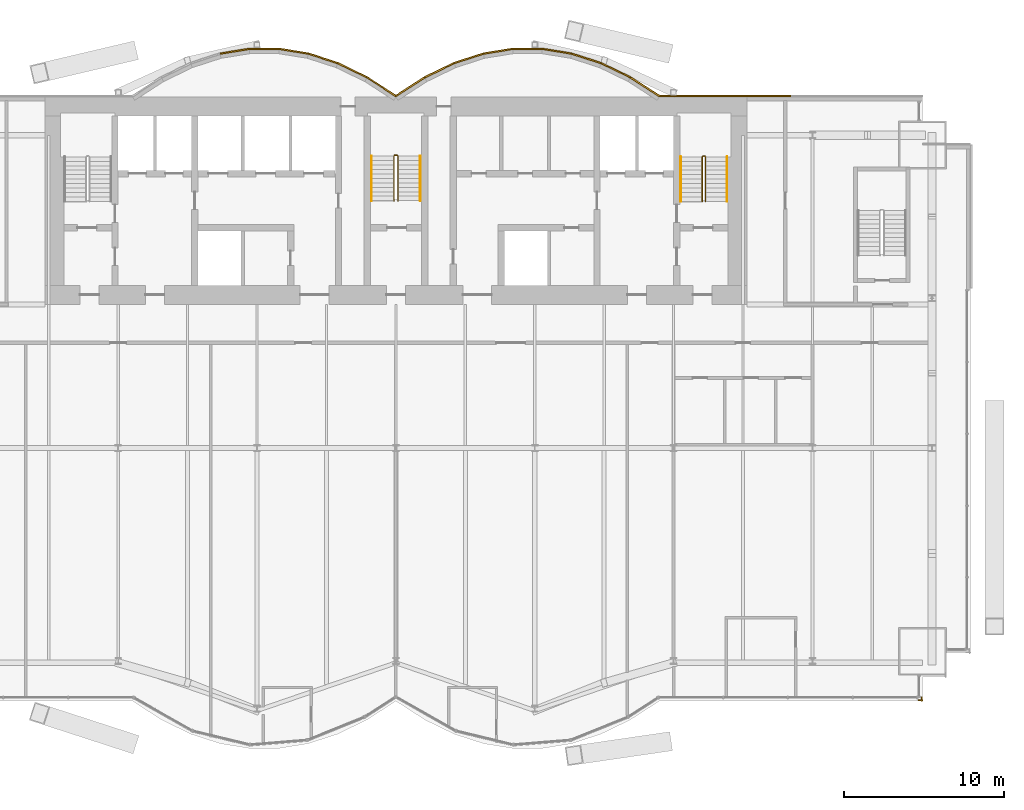
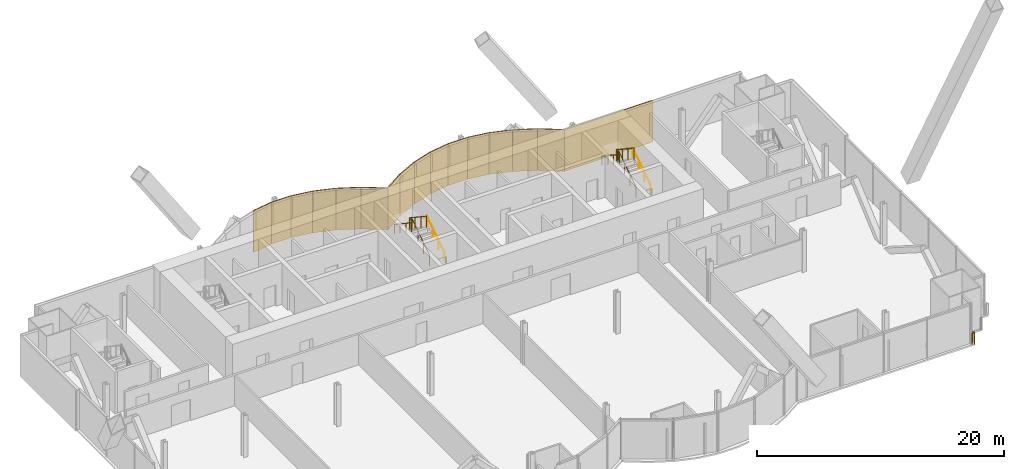
# One storey, part 22 of 23: 16 coverings, 7 railings.
"""IFC4 building model written with IfcOpenShell, lengths in metres."""

from ifc_helpers import new_model, si_unit, direction, frame, origin, origin_2d, place, context, subcontext, project, spatial, rectangle, circle, extrude, material, layer, layer_set, type_object, element, save


model = new_model("IFC4")

# Units and contexts
model_context = context("Model", 3, precision=1e-05, world=origin(), true_north=direction((0.0, 1.0)))
body_context = subcontext(model_context, "Body", "Model", "MODEL_VIEW")
ifc_project = project(units=[si_unit("LENGTHUNIT", "METRE"), si_unit("AREAUNIT", "SQUARE_METRE"), si_unit("VOLUMEUNIT", "CUBIC_METRE"), si_unit("PLANEANGLEUNIT", "RADIAN"), si_unit("MASSUNIT", "GRAM", prefix="KILO")], contexts=[model_context])

# Site, building, storey
site_placement = place(None, origin())
site = spatial("IfcSite", under=ifc_project, at=site_placement, CompositionType="ELEMENT")
building_placement = place(site_placement, origin())
building = spatial("IfcBuilding", under=site, at=building_placement, Name="Bicima Exchange Tower", CompositionType="ELEMENT")
storey_placement = place(building_placement, frame((0.0, 0.0, 110.39990234375)))
storey = spatial("IfcBuildingStorey", under=building, at=storey_placement, Name="L23", CompositionType="ELEMENT", Elevation=110.39990234375)

# Coverings
ifc_material_1 = material(Name="Bronze metal cladding")
ifc_layer_1 = layer(ifc_material_1, 0.004)
ifc_material_2 = material(Name="Ventilated cavity")
ifc_layer_2 = layer(ifc_material_2, 0.06)
ifc_material_3 = material(Name="Galvanised steel rail and mineral wool", Category="steel")
ifc_layer_3 = layer(ifc_material_3, 0.036)
ifc_layer_set = layer_set([ifc_layer_1, ifc_layer_2, ifc_layer_3], Name="Ventilated cavity")
covering_type = type_object("IfcCoveringType", Name="Bronze metal cladding panel 100", PredefinedType="CLADDING", material=ifc_layer_set)
covering_1_placement = place(storey_placement, frame((20.625, 0.050048828125, -0.14990234375), z_axis=(0.0, 0.0, 1.0), x_axis=(-1.0, 0.0, 0.0)))
element("IfcCovering", 1, at=covering_1_placement, inside=storey, type_object=covering_type, Name="Bronze cladding L23 1.2", PredefinedType="CLADDING", context=body_context, shape_type="SweptSolid", body=[
    extrude(rectangle(XDim=8.25, YDim=0.10009765625, at=origin_2d()), origin(), (0.0, 0.0, 1.0), 4.10009765625),
])
covering_2_placement = place(storey_placement, frame((15.610595703125, 0.634521484375, -0.14990234375), z_axis=(0.0, 0.0, 1.0), x_axis=(-0.839790466384, 0.542910648791, 0.0)))
element("IfcCovering", 2, at=covering_2_placement, inside=storey, type_object=covering_type, Name="Bronze cladding L23 2.1", PredefinedType="CLADDING", context=body_context, shape_type="SweptSolid", body=[
    extrude(rectangle(XDim=2.18310546875, YDim=0.10009765625, at=origin_2d()), origin(), (0.0, 0.0, 1.0), 4.10009765625),
])
covering_3_placement = place(storey_placement, frame((13.771728515625, 1.674560546875, -0.14990234375), z_axis=(0.0, 0.0, 1.0), x_axis=(-0.899818346812, 0.436264762204, 0.0)))
element("IfcCovering", 3, at=covering_3_placement, inside=storey, type_object=covering_type, Name="Bronze cladding L23 3.1", PredefinedType="CLADDING", context=body_context, shape_type="SweptSolid", body=[
    extrude(rectangle(XDim=2.03759765625, YDim=0.10009765625, at=origin_2d()), origin(), (0.0, 0.0, 1.0), 4.10009765625),
])
covering_4_placement = place(storey_placement, frame((11.931884765625, 2.41796875, -0.14990234375), z_axis=(0.0, 0.0, 1.0), x_axis=(-0.951524642381, 0.307572519808, 0.0)))
element("IfcCovering", 4, at=covering_4_placement, inside=storey, type_object=covering_type, Name="Bronze cladding L23 4.1", PredefinedType="CLADDING", context=body_context, shape_type="SweptSolid", body=[
    extrude(rectangle(XDim=1.9267578125, YDim=0.10009765625, at=origin_2d()), origin(), (0.0, 0.0, 1.0), 4.10009765625),
])
covering_5_placement = place(storey_placement, frame((10.09130859375, 2.8642578125, -0.14990234375), z_axis=(0.0, 0.0, 1.0), x_axis=(-0.987189786347, 0.159550386184, 0.0)))
element("IfcCovering", 5, at=covering_5_placement, inside=storey, type_object=covering_type, Name="Bronze cladding L23 5.1", PredefinedType="CLADDING", context=body_context, shape_type="SweptSolid", body=[
    extrude(rectangle(XDim=1.857177734375, YDim=0.10009765625, at=origin_2d()), origin(), (0.0, 0.0, 1.0), 4.10009765625),
])
covering_6_placement = place(storey_placement, frame((8.25, 3.012939453125, -0.14990234375), z_axis=(0.0, 0.0, 1.0), x_axis=(-1.0, 0.0, 0.0)))
element("IfcCovering", 6, at=covering_6_placement, inside=storey, type_object=covering_type, Name="Bronze cladding L23 6.1", PredefinedType="CLADDING", context=body_context, shape_type="SweptSolid", body=[
    extrude(rectangle(XDim=1.83349609375, YDim=0.10009765625, at=origin_2d()), origin(), (0.0, 0.0, 1.0), 4.10009765625),
])
covering_7_placement = place(storey_placement, frame((6.40869140625, 2.8642578125, -0.14990234375), z_axis=(0.0, 0.0, 1.0), x_axis=(-0.987189786347, -0.159550386184, 0.0)))
element("IfcCovering", 7, at=covering_7_placement, inside=storey, type_object=covering_type, Name="Bronze cladding L23 7.1", PredefinedType="CLADDING", context=body_context, shape_type="SweptSolid", body=[
    extrude(rectangle(XDim=1.857177734375, YDim=0.10009765625, at=origin_2d()), origin(), (0.0, 0.0, 1.0), 4.10009765625),
])
covering_8_placement = place(storey_placement, frame((4.568115234375, 2.41796875, -0.14990234375), z_axis=(0.0, 0.0, 1.0), x_axis=(-0.951524642381, -0.307572519808, 0.0)))
element("IfcCovering", 8, at=covering_8_placement, inside=storey, type_object=covering_type, Name="Bronze cladding L23 8.1", PredefinedType="CLADDING", context=body_context, shape_type="SweptSolid", body=[
    extrude(rectangle(XDim=1.9267578125, YDim=0.10009765625, at=origin_2d()), origin(), (0.0, 0.0, 1.0), 4.10009765625),
])
covering_9_placement = place(storey_placement, frame((2.728271484375, 1.674560546875, -0.14990234375), z_axis=(0.0, 0.0, 1.0), x_axis=(-0.899818346812, -0.436264762204, 0.0)))
element("IfcCovering", 9, at=covering_9_placement, inside=storey, type_object=covering_type, Name="Bronze cladding L23 9.1", PredefinedType="CLADDING", context=body_context, shape_type="SweptSolid", body=[
    extrude(rectangle(XDim=2.03759765625, YDim=0.10009765625, at=origin_2d()), origin(), (0.0, 0.0, 1.0), 4.10009765625),
])
for number, where, z_axis, x_axis, name in (
    (10, (0.889404296875, 0.634521484375, -0.14990234375), (0.0, 0.0, 1.0), (-0.839790466384, -0.542910648791, 0.0), "Bronze cladding L23 10.1"),
    (11, (-0.889404296875, 0.634521484375, -0.14990234375), (0.0, 0.0, 1.0), (-0.839790466384, 0.542910648791, 0.0), "Bronze cladding L23 11.1"),
):
    element("IfcCovering", number, at=place(storey_placement, frame(where, z_axis=z_axis, x_axis=x_axis)), inside=storey, type_object=covering_type, Name=name, PredefinedType="CLADDING", context=body_context, shape_type="SweptSolid", body=[
        extrude(rectangle(XDim=2.18310546875, YDim=0.10009765625, at=origin_2d()), origin(), (0.0, 0.0, 1.0), 4.10009765625),
    ])
covering_10_placement = place(storey_placement, frame((-2.728271484375, 1.674560546875, -0.14990234375), z_axis=(0.0, 0.0, 1.0), x_axis=(-0.899818346812, 0.436264762204, 0.0)))
element("IfcCovering", 12, at=covering_10_placement, inside=storey, type_object=covering_type, Name="Bronze cladding L23 12.1", PredefinedType="CLADDING", context=body_context, shape_type="SweptSolid", body=[
    extrude(rectangle(XDim=2.03759765625, YDim=0.10009765625, at=origin_2d()), origin(), (0.0, 0.0, 1.0), 4.10009765625),
])
covering_11_placement = place(storey_placement, frame((-4.568115234375, 2.41796875, -0.14990234375), z_axis=(0.0, 0.0, 1.0), x_axis=(-0.951524642381, 0.307572519808, 0.0)))
element("IfcCovering", 13, at=covering_11_placement, inside=storey, type_object=covering_type, Name="Bronze cladding L23 13.1", PredefinedType="CLADDING", context=body_context, shape_type="SweptSolid", body=[
    extrude(rectangle(XDim=1.9267578125, YDim=0.10009765625, at=origin_2d()), origin(), (0.0, 0.0, 1.0), 4.10009765625),
])
covering_12_placement = place(storey_placement, frame((-6.40869140625, 2.8642578125, -0.14990234375), z_axis=(0.0, 0.0, 1.0), x_axis=(-0.987189786347, 0.159550386184, 0.0)))
element("IfcCovering", 14, at=covering_12_placement, inside=storey, type_object=covering_type, Name="Bronze cladding L23 14.1", PredefinedType="CLADDING", context=body_context, shape_type="SweptSolid", body=[
    extrude(rectangle(XDim=1.857177734375, YDim=0.10009765625, at=origin_2d()), origin(), (0.0, 0.0, 1.0), 4.10009765625),
])
covering_13_placement = place(storey_placement, frame((-8.25, 3.012939453125, -0.14990234375), z_axis=(0.0, 0.0, 1.0), x_axis=(-1.0, 0.0, 0.0)))
element("IfcCovering", 15, at=covering_13_placement, inside=storey, type_object=covering_type, Name="Bronze cladding L23 15.1", PredefinedType="CLADDING", context=body_context, shape_type="SweptSolid", body=[
    extrude(rectangle(XDim=1.83349609375, YDim=0.10009765625, at=origin_2d()), origin(), (0.0, 0.0, 1.0), 4.10009765625),
])
covering_14_placement = place(storey_placement, frame((-10.09130859375, 2.8642578125, -0.14990234375), z_axis=(0.0, 0.0, 1.0), x_axis=(-0.987189786347, -0.159550386184, 0.0)))
element("IfcCovering", 16, at=covering_14_placement, inside=storey, type_object=covering_type, Name="Bronze cladding L23 16.1", PredefinedType="CLADDING", context=body_context, shape_type="SweptSolid", body=[
    extrude(rectangle(XDim=1.857177734375, YDim=0.10009765625, at=origin_2d()), origin(), (0.0, 0.0, 1.0), 4.10009765625),
])

# Railings
ifc_material_4 = material(Name="Stainless steel and bonded safety glass", Category="steel")
railing_type_1 = type_object("IfcRailingType", Name="Edge guard 1100", PredefinedType="GUARDRAIL", material=ifc_material_4)
railing_1_placement = place(storey_placement, frame((32.949951171875, -37.60205078125, 0.0)))
element("IfcRailing", 17, at=railing_1_placement, inside=storey, type_object=railing_type_1, Name="Edge guard L23 112", PredefinedType="GUARDRAIL", context=body_context, shape_type="SweptSolid", body=[
    extrude(circle(Radius=0.02392578125, at=origin_2d()), frame((0.0, 0.0, 1.076171875), z_axis=(0.0, -1.0, 0.0), x_axis=(1.0, 0.0, 0.0)), (0.0, 0.0, 1.0), 0.25),
    extrude(circle(Radius=0.02392578125, at=origin_2d()), frame((0.0, -0.25, 1.076171875), z_axis=(0.707106781187, 0.707106781187, 0.0), x_axis=(-0.707106781187, 0.707106781187, 0.0)), (0.0, 0.0, 1.0), 0.07080078125),
    extrude(circle(Radius=0.02392578125, at=origin_2d()), frame((0.050048828125, -0.199951171875, 1.076171875), z_axis=(-1.0, 0.0, 0.0), x_axis=(0.0, -1.0, 0.0)), (0.0, 0.0, 1.0), 0.25),
    extrude(circle(Radius=0.02099609375, at=origin_2d()), origin(), (0.0, 0.0, 1.0), 1.052001953125),
    extrude(circle(Radius=0.02099609375, at=origin_2d()), frame((0.0, -0.25, 0.0)), (0.0, 0.0, 1.0), 1.052001953125),
    extrude(circle(Radius=0.02099609375, at=origin_2d()), frame((0.050048828125, -0.199951171875, 0.0)), (0.0, 0.0, 1.0), 1.052001953125),
    extrude(circle(Radius=0.02099609375, at=origin_2d()), frame((-0.199951171875, -0.199951171875, 0.0)), (0.0, 0.0, 1.0), 1.052001953125),
])
ifc_material_5 = material(Name="Stainless steel", Category="steel")
railing_type_2 = type_object("IfcRailingType", Name="Stair guard 1100", PredefinedType="GUARDRAIL", material=ifc_material_5)
railing_2_placement = place(storey_placement, frame((0.125, -6.5, 0.1865234375)))
element("IfcRailing", 18, at=railing_2_placement, inside=storey, type_object=railing_type_2, Name="L23 ST-C stair guard 1", PredefinedType="GUARDRAIL", context=body_context, shape_type="SweptSolid", body=[
    extrude(circle(Radius=0.02392578125, at=origin_2d()), frame((0.0, 0.0, 1.076171875), z_axis=(0.0, 0.832485552168, 0.554046753832), x_axis=(-1.0, 0.0, 0.0)), (0.0, 0.0, 1.0), 3.363525390625),
    extrude(circle(Radius=0.02392578125, at=origin_2d()), frame((0.0, 2.800048828125, 2.939453125), z_axis=(-0.707106781187, 0.707106781187, 0.0), x_axis=(-0.707106781187, -0.707106781187, 0.0)), (0.0, 0.0, 1.0), 0.07080078125),
    extrude(circle(Radius=0.02392578125, at=origin_2d()), frame((-0.050048828125, 2.85009765625, 2.939453125), z_axis=(-1.0, 0.0, 0.0), x_axis=(0.0, -1.0, 0.0)), (0.0, 0.0, 1.0), 0.14990234375),
    extrude(circle(Radius=0.02392578125, at=origin_2d()), frame((-0.199951171875, 2.85009765625, 2.939453125), z_axis=(-0.250869701741, -0.250869701741, 0.934948546978), x_axis=(0.707106781187, -0.707106781187, 0.0)), (0.0, 0.0, 1.0), 0.199462890625),
    extrude(circle(Radius=0.02392578125, at=origin_2d()), frame((-0.25, 2.800048828125, 3.1259765625), z_axis=(0.0, -0.832485552168, 0.554046753832), x_axis=(1.0, 0.0, 0.0)), (0.0, 0.0, 1.0), 3.363525390625),
    extrude(circle(Radius=0.02099609375, at=origin_2d()), origin(), (0.0, 0.0, 1.0), 1.052001953125),
    extrude(circle(Radius=0.02099609375, at=origin_2d()), frame((0.0, 0.933349609375, 0.62109375)), (0.0, 0.0, 1.0), 1.052001953125),
    extrude(circle(Radius=0.02099609375, at=origin_2d()), frame((0.0, 1.86669921875, 1.242431640625)), (0.0, 0.0, 1.0), 1.052001953125),
    extrude(circle(Radius=0.02099609375, at=origin_2d()), frame((0.0, 2.800048828125, 1.863525390625)), (0.0, 0.0, 1.0), 1.052001953125),
    extrude(circle(Radius=0.02099609375, at=origin_2d()), frame((-0.050048828125, 2.85009765625, 1.863525390625)), (0.0, 0.0, 1.0), 1.052001953125),
    extrude(circle(Radius=0.02099609375, at=origin_2d()), frame((-0.199951171875, 2.85009765625, 1.863525390625)), (0.0, 0.0, 1.0), 1.052001953125),
    extrude(circle(Radius=0.02099609375, at=origin_2d()), frame((-0.25, 2.800048828125, 2.050048828125)), (0.0, 0.0, 1.0), 1.052001953125),
    extrude(circle(Radius=0.02099609375, at=origin_2d()), frame((-0.25, 1.86669921875, 2.671142578125)), (0.0, 0.0, 1.0), 1.052001953125),
    extrude(circle(Radius=0.02099609375, at=origin_2d()), frame((-0.25, 0.933349609375, 3.29248046875)), (0.0, 0.0, 1.0), 1.052001953125),
    extrude(circle(Radius=0.02099609375, at=origin_2d()), frame((-0.25, 0.0, 3.91357421875)), (0.0, 0.0, 1.0), 1.052001953125),
])
railing_3_placement = place(storey_placement, frame((19.39990234375, -6.550048828125, 0.1865234375)))
element("IfcRailing", 19, at=railing_3_placement, inside=storey, type_object=railing_type_2, Name="L23 ST-E stair guard 1", PredefinedType="GUARDRAIL", context=body_context, shape_type="SweptSolid", body=[
    extrude(circle(Radius=0.02392578125, at=origin_2d()), frame((0.0, 0.0, 1.076171875), z_axis=(0.0, 0.832485552168, 0.554046753832), x_axis=(-1.0, 0.0, 0.0)), (0.0, 0.0, 1.0), 3.363525390625),
    extrude(circle(Radius=0.02392578125, at=origin_2d()), frame((0.0, 2.800048828125, 2.939453125), z_axis=(-0.705375805398, 0.708833529934, 0.0), x_axis=(-0.708833529934, -0.705375805398, 0.0)), (0.0, 0.0, 1.0), 0.070556640625),
    extrude(circle(Radius=0.02392578125, at=origin_2d()), frame((-0.0498046875, 2.85009765625, 2.939453125), z_axis=(-1.0, 0.0, 0.0), x_axis=(0.0, -1.0, 0.0)), (0.0, 0.0, 1.0), 0.10009765625),
    extrude(circle(Radius=0.02392578125, at=origin_2d()), frame((-0.14990234375, 2.85009765625, 2.939453125), z_axis=(-0.250869701741, -0.250869701741, 0.934948546978), x_axis=(0.707106781187, -0.707106781187, 0.0)), (0.0, 0.0, 1.0), 0.199462890625),
    extrude(circle(Radius=0.02392578125, at=origin_2d()), frame((-0.199951171875, 2.800048828125, 3.1259765625), z_axis=(0.0, -0.832485552168, 0.554046753832), x_axis=(1.0, 0.0, 0.0)), (0.0, 0.0, 1.0), 3.363525390625),
    extrude(circle(Radius=0.02099609375, at=origin_2d()), origin(), (0.0, 0.0, 1.0), 1.052001953125),
    extrude(circle(Radius=0.02099609375, at=origin_2d()), frame((0.0, 0.933349609375, 0.62109375)), (0.0, 0.0, 1.0), 1.052001953125),
    extrude(circle(Radius=0.02099609375, at=origin_2d()), frame((0.0, 1.86669921875, 1.242431640625)), (0.0, 0.0, 1.0), 1.052001953125),
    extrude(circle(Radius=0.02099609375, at=origin_2d()), frame((0.0, 2.800048828125, 1.863525390625)), (0.0, 0.0, 1.0), 1.052001953125),
    extrude(circle(Radius=0.02099609375, at=origin_2d()), frame((-0.0498046875, 2.85009765625, 1.863525390625)), (0.0, 0.0, 1.0), 1.052001953125),
    extrude(circle(Radius=0.02099609375, at=origin_2d()), frame((-0.14990234375, 2.85009765625, 1.863525390625)), (0.0, 0.0, 1.0), 1.052001953125),
    extrude(circle(Radius=0.02099609375, at=origin_2d()), frame((-0.199951171875, 2.800048828125, 2.050048828125)), (0.0, 0.0, 1.0), 1.052001953125),
    extrude(circle(Radius=0.02099609375, at=origin_2d()), frame((-0.199951171875, 1.86669921875, 2.671142578125)), (0.0, 0.0, 1.0), 1.052001953125),
    extrude(circle(Radius=0.02099609375, at=origin_2d()), frame((-0.199951171875, 0.933349609375, 3.29248046875)), (0.0, 0.0, 1.0), 1.052001953125),
    extrude(circle(Radius=0.02099609375, at=origin_2d()), frame((-0.199951171875, 0.0, 3.91357421875)), (0.0, 0.0, 1.0), 1.052001953125),
])
railing_type_3 = type_object("IfcRailingType", Name="Stair handrail 900", PredefinedType="HANDRAIL", material=ifc_material_5)
railing_4_placement = place(storey_placement, frame((1.52490234375, -6.5, 0.1865234375)))
element("IfcRailing", 20, at=railing_4_placement, inside=storey, type_object=railing_type_3, Name="L23 ST-C stair handrail 1", PredefinedType="HANDRAIL", context=body_context, shape_type="SweptSolid", body=[
    extrude(circle(Radius=0.02392578125, at=origin_2d()), frame((0.0, 0.0, 0.8759765625), z_axis=(0.0, 0.832485552168, 0.554046753832), x_axis=(-1.0, 0.0, 0.0)), (0.0, 0.0, 1.0), 3.363525390625),
    extrude(circle(Radius=0.02099609375, at=origin_2d()), origin(), (0.0, 0.0, 1.0), 0.851806640625),
    extrude(circle(Radius=0.02099609375, at=origin_2d()), frame((0.0, 0.933349609375, 0.62109375)), (0.0, 0.0, 1.0), 0.851806640625),
    extrude(circle(Radius=0.02099609375, at=origin_2d()), frame((0.0, 1.86669921875, 1.242431640625)), (0.0, 0.0, 1.0), 0.851806640625),
    extrude(circle(Radius=0.02099609375, at=origin_2d()), frame((0.0, 2.800048828125, 1.863525390625)), (0.0, 0.0, 1.0), 0.851806640625),
])
railing_5_placement = place(storey_placement, frame((-1.52490234375, -3.699951171875, 2.27685546875)))
element("IfcRailing", 21, at=railing_5_placement, inside=storey, type_object=railing_type_3, Name="L23 ST-C stair handrail 2", PredefinedType="HANDRAIL", context=body_context, shape_type="SweptSolid", body=[
    extrude(circle(Radius=0.02392578125, at=origin_2d()), frame((0.0, 0.0, 0.8759765625), z_axis=(0.0, -0.832485552168, 0.554046753832), x_axis=(1.0, 0.0, 0.0)), (0.0, 0.0, 1.0), 3.363525390625),
    extrude(circle(Radius=0.02099609375, at=origin_2d()), origin(), (0.0, 0.0, 1.0), 0.851806640625),
    extrude(circle(Radius=0.02099609375, at=origin_2d()), frame((0.0, -0.933349609375, 0.62109375)), (0.0, 0.0, 1.0), 0.851806640625),
    extrude(circle(Radius=0.02099609375, at=origin_2d()), frame((0.0, -1.86669921875, 1.242431640625)), (0.0, 0.0, 1.0), 0.851806640625),
    extrude(circle(Radius=0.02099609375, at=origin_2d()), frame((0.0, -2.800048828125, 1.863525390625)), (0.0, 0.0, 1.0), 0.851806640625),
])
railing_6_placement = place(storey_placement, frame((20.75, -6.550048828125, 0.1865234375)))
element("IfcRailing", 22, at=railing_6_placement, inside=storey, type_object=railing_type_3, Name="L23 ST-E stair handrail 1", PredefinedType="HANDRAIL", context=body_context, shape_type="SweptSolid", body=[
    extrude(circle(Radius=0.02392578125, at=origin_2d()), frame((0.0, 0.0, 0.8759765625), z_axis=(0.0, 0.832485552168, 0.554046753832), x_axis=(-1.0, 0.0, 0.0)), (0.0, 0.0, 1.0), 3.363525390625),
    extrude(circle(Radius=0.02099609375, at=origin_2d()), origin(), (0.0, 0.0, 1.0), 0.851806640625),
    extrude(circle(Radius=0.02099609375, at=origin_2d()), frame((0.0, 0.933349609375, 0.62109375)), (0.0, 0.0, 1.0), 0.851806640625),
    extrude(circle(Radius=0.02099609375, at=origin_2d()), frame((0.0, 1.86669921875, 1.242431640625)), (0.0, 0.0, 1.0), 0.851806640625),
    extrude(circle(Radius=0.02099609375, at=origin_2d()), frame((0.0, 2.800048828125, 1.863525390625)), (0.0, 0.0, 1.0), 0.851806640625),
])
railing_7_placement = place(storey_placement, frame((17.85009765625, -3.75, 2.27685546875)))
element("IfcRailing", 23, at=railing_7_placement, inside=storey, type_object=railing_type_3, Name="L23 ST-E stair handrail 2", PredefinedType="HANDRAIL", context=body_context, shape_type="SweptSolid", body=[
    extrude(circle(Radius=0.02392578125, at=origin_2d()), frame((0.0, 0.0, 0.8759765625), z_axis=(0.0, -0.832485552168, 0.554046753832), x_axis=(1.0, 0.0, 0.0)), (0.0, 0.0, 1.0), 3.363525390625),
    extrude(circle(Radius=0.02099609375, at=origin_2d()), origin(), (0.0, 0.0, 1.0), 0.851806640625),
    extrude(circle(Radius=0.02099609375, at=origin_2d()), frame((0.0, -0.933349609375, 0.62109375)), (0.0, 0.0, 1.0), 0.851806640625),
    extrude(circle(Radius=0.02099609375, at=origin_2d()), frame((0.0, -1.86669921875, 1.242431640625)), (0.0, 0.0, 1.0), 0.851806640625),
    extrude(circle(Radius=0.02099609375, at=origin_2d()), frame((0.0, -2.800048828125, 1.863525390625)), (0.0, 0.0, 1.0), 0.851806640625),
])

save(model, "model.ifc")
